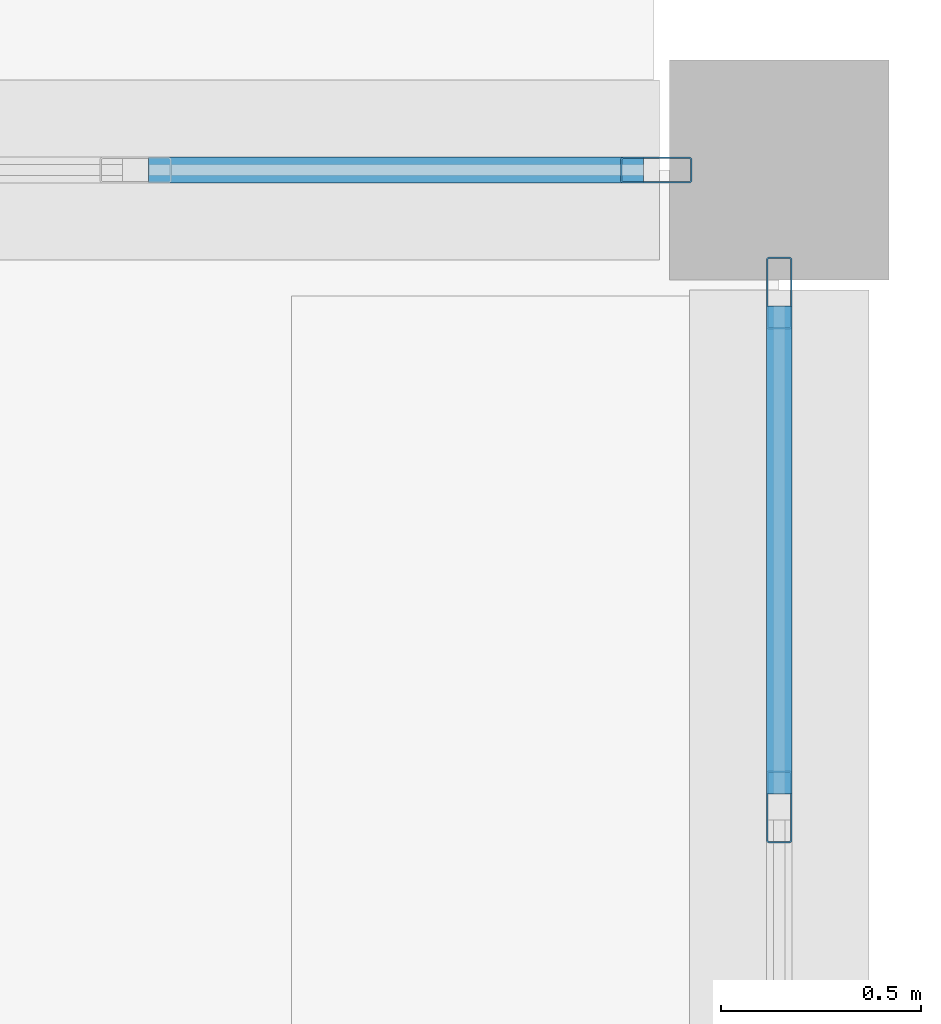
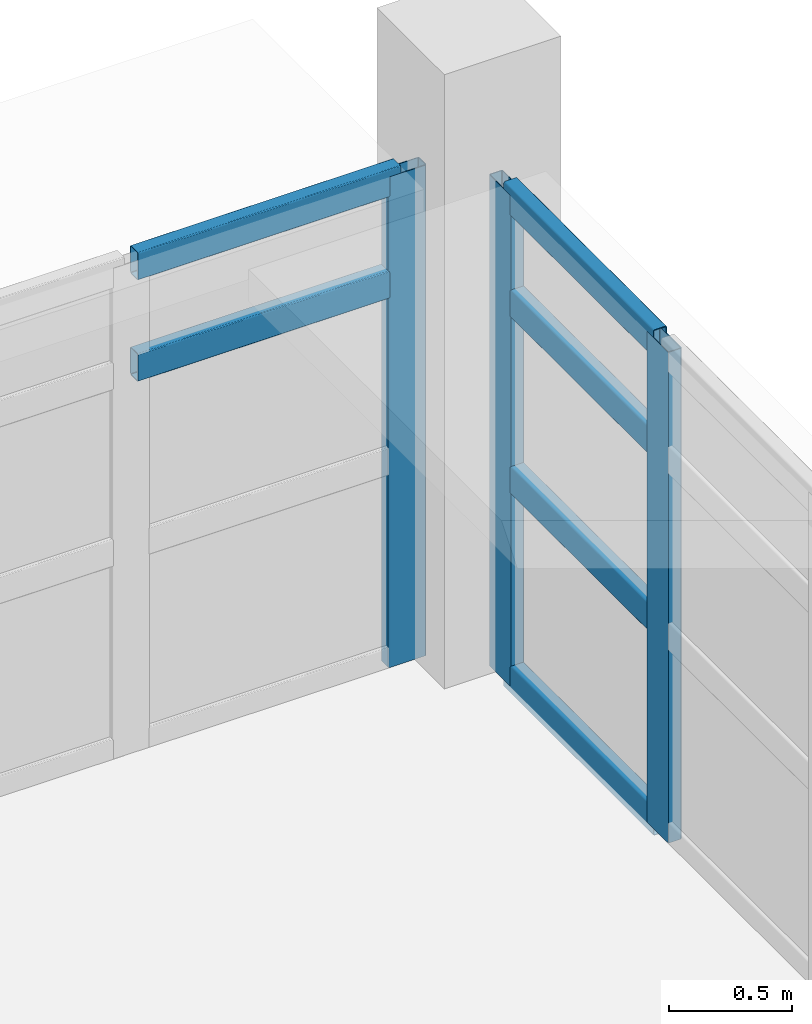
# One storey, part 17 of 34: 9 members, 2 elements without a shape of their own.
"""IFC4 building model written with IfcOpenShell, lengths in metres."""

from ifc_helpers import new_model, si_unit, direction, frame, origin, origin_2d, place, context, subcontext, project, spatial, hollow_rectangle, extrude, material, material_profile, profile_set, type_object, element, aggregate, save


model = new_model("IFC4")

# Units and contexts
model_context = context("Model", 3, precision=1e-05, world=origin(), true_north=direction((0.0, 1.0)))
body_context = subcontext(model_context, "Body", "Model", "MODEL_VIEW")
ifc_project = project(units=[si_unit("LENGTHUNIT", "METRE"), si_unit("AREAUNIT", "SQUARE_METRE"), si_unit("VOLUMEUNIT", "CUBIC_METRE"), si_unit("PLANEANGLEUNIT", "RADIAN"), si_unit("MASSUNIT", "GRAM", prefix="KILO")], contexts=[model_context])

# Site, building, storey
site_placement = place(None, origin())
site = spatial("IfcSite", under=ifc_project, at=site_placement, CompositionType="ELEMENT")
building_placement = place(site_placement, origin())
building = spatial("IfcBuilding", under=site, at=building_placement, Name="Varnakota Cinema and Media Centre", CompositionType="ELEMENT")
storey_placement = place(building_placement, frame((0.0, 0.0, 19.050048828125)))
storey = spatial("IfcBuildingStorey", under=building, at=storey_placement, Name="L05", CompositionType="ELEMENT", Elevation=19.050048828125)

# Curtain wall, members
ifc_material_1 = material(Name="Thermally broken anodised aluminium AW-6063", Category="aluminium")
curtain_wall_type_1 = type_object("IfcCurtainWallType", Name="CW-STD-396x244", PredefinedType="USERDEFINED", material=ifc_material_1)
curtain_wall_1_placement = place(storey_placement, origin())
curtain_wall_1 = element("IfcCurtainWall", 1, at=curtain_wall_1_placement, inside=storey, type_object=curtain_wall_type_1, Name="L05 curtain wall CW-L05-V5-E-03-2", ObjectType="UNITISED CURTAIN WALL", PredefinedType="USERDEFINED")
ifc_material_2 = material(Name="Thermally broken anodised aluminium AW-6063", Category="aluminium")
ifc_material_profile_1 = material_profile(ifc_material_2, hollow_rectangle(XDim=0.06494140625, YDim=0.179931640625, WallThickness=0.00390625, InnerFilletRadius=0.00390625, OuterFilletRadius=0.008056640625, at=origin_2d()), Name="AL-MULLION 180x65x4")
ifc_profile_set_1 = profile_set([ifc_material_profile_1], Name="Thermally broken anodised aluminium AW-6063")
member_type_1 = type_object("IfcMemberType", Name="CWM-AL-180", PredefinedType="MULLION", material=ifc_profile_set_1)
member_1_placement = place(storey_placement, frame((25.800048828125, 59.40673828125, 0.0), z_axis=(0.0, 0.0, 1.0), x_axis=(-1.0, 0.0, 0.0)))
member_1 = element("IfcMember", 2, at=member_1_placement, type_object=member_type_1, Name="CW53 mullion 3", PredefinedType="MULLION", context=body_context, shape_type="SweptSolid", body=[
    extrude(hollow_rectangle(XDim=0.06494140625, YDim=0.179931640625, WallThickness=0.00390625, InnerFilletRadius=0.00390625, OuterFilletRadius=0.008056640625, at=origin_2d()), origin(), (0.0, 0.0, 1.0), 2.445068359375),
])
member_2_placement = place(storey_placement, frame((25.800048828125, 60.6923828125, 0.0), z_axis=(0.0, 0.0, 1.0), x_axis=(-1.0, 0.0, 0.0)))
member_2 = element("IfcMember", 3, at=member_2_placement, type_object=member_type_1, Name="CW53 mullion 4", PredefinedType="MULLION", context=body_context, shape_type="SweptSolid", body=[
    extrude(hollow_rectangle(XDim=0.06494140625, YDim=0.179931640625, WallThickness=0.00390625, InnerFilletRadius=0.00390625, OuterFilletRadius=0.008056640625, at=origin_2d()), origin(), (0.0, 0.0, 1.0), 2.445068359375),
])

# Curtain wall, member
ifc_material_3 = material(Name="Thermally broken anodised aluminium AW-6063", Category="aluminium")
curtain_wall_type_2 = type_object("IfcCurtainWallType", Name="CW-STD-400x244", PredefinedType="USERDEFINED", material=ifc_material_3)
curtain_wall_2_placement = place(storey_placement, origin())
curtain_wall_2 = element("IfcCurtainWall", 4, at=curtain_wall_2_placement, inside=storey, type_object=curtain_wall_type_2, Name="L05 curtain wall CW-L05-V5-N-03-2", ObjectType="UNITISED CURTAIN WALL", PredefinedType="USERDEFINED")
member_3_placement = place(storey_placement, frame((25.492431640625, 61.0, 0.0), z_axis=(0.0, 0.0, 1.0), x_axis=(0.0, 1.0, 0.0)))
member_3 = element("IfcMember", 5, at=member_3_placement, type_object=member_type_1, Name="CW55 mullion 4", PredefinedType="MULLION", context=body_context, shape_type="SweptSolid", body=[
    extrude(hollow_rectangle(XDim=0.06494140625, YDim=0.179931640625, WallThickness=0.00390625, InnerFilletRadius=0.00390625, OuterFilletRadius=0.008056640625, at=origin_2d()), origin(), (0.0, 0.0, 1.0), 2.445068359375),
])

# Member
ifc_material_4 = material(Name="Thermally broken anodised aluminium AW-6063", Category="aluminium")
ifc_material_profile_2 = material_profile(ifc_material_4, hollow_rectangle(XDim=0.06494140625, YDim=0.139892578125, WallThickness=0.00390625, InnerFilletRadius=0.00390625, OuterFilletRadius=0.008056640625, at=origin_2d()), Name="AL-TRANSOM 140x65x4")
ifc_profile_set_2 = profile_set([ifc_material_profile_2], Name="Thermally broken anodised aluminium AW-6063")
member_type_2 = type_object("IfcMemberType", Name="CWT-AL-140", PredefinedType="USERDEFINED", material=ifc_profile_set_2)
member_4_placement = place(storey_placement, frame((25.800048828125, 59.439208984375, 0.032470703125), z_axis=(0.0, 1.0, 0.0), x_axis=(-1.0, 0.0, 0.0)))
member_4 = element("IfcMember", 6, at=member_4_placement, type_object=member_type_2, Name="CW53 transom 3.1", ObjectType="TRANSOM", PredefinedType="USERDEFINED", context=body_context, shape_type="SweptSolid", body=[
    extrude(hollow_rectangle(XDim=0.06494140625, YDim=0.139892578125, WallThickness=0.00390625, InnerFilletRadius=0.00390625, OuterFilletRadius=0.008056640625, at=origin_2d()), origin(), (0.0, 0.0, 1.0), 1.220703125),
])

member_5_placement = place(storey_placement, frame((25.800048828125, 59.439208984375, 1.02685546875), z_axis=(0.0, 1.0, 0.0), x_axis=(-1.0, 0.0, 0.0)))
member_5 = element("IfcMember", 7, at=member_5_placement, type_object=member_type_2, Name="CW53 transom 3.2", ObjectType="TRANSOM", PredefinedType="USERDEFINED", context=body_context, shape_type="SweptSolid", body=[
    extrude(hollow_rectangle(XDim=0.06494140625, YDim=0.139892578125, WallThickness=0.00390625, InnerFilletRadius=0.00390625, OuterFilletRadius=0.008056640625, at=origin_2d()), origin(), (0.0, 0.0, 1.0), 1.220703125),
])

member_6_placement = place(storey_placement, frame((25.800048828125, 59.439208984375, 1.906982421875), z_axis=(0.0, 1.0, 0.0), x_axis=(-1.0, 0.0, 0.0)))
member_6 = element("IfcMember", 8, at=member_6_placement, type_object=member_type_2, Name="CW53 transom 3.3", ObjectType="TRANSOM", PredefinedType="USERDEFINED", context=body_context, shape_type="SweptSolid", body=[
    extrude(hollow_rectangle(XDim=0.06494140625, YDim=0.139892578125, WallThickness=0.00390625, InnerFilletRadius=0.00390625, OuterFilletRadius=0.008056640625, at=origin_2d()), origin(), (0.0, 0.0, 1.0), 1.220703125),
])

member_7_placement = place(storey_placement, frame((25.800048828125, 59.439208984375, 2.412353515625), z_axis=(0.0, 1.0, 0.0), x_axis=(-1.0, 0.0, 0.0)))
member_7 = element("IfcMember", 9, at=member_7_placement, type_object=member_type_2, Name="CW53 transom 3.4", ObjectType="TRANSOM", PredefinedType="USERDEFINED", context=body_context, shape_type="SweptSolid", body=[
    extrude(hollow_rectangle(XDim=0.06494140625, YDim=0.139892578125, WallThickness=0.00390625, InnerFilletRadius=0.00390625, OuterFilletRadius=0.008056640625, at=origin_2d()), origin(), (0.0, 0.0, 1.0), 1.220703125),
])

aggregate(curtain_wall_1, [member_1, member_2, member_4, member_5, member_6, member_7])

member_8_placement = place(storey_placement, frame((24.222412109375, 61.0, 1.906982421875), z_axis=(1.0, 0.0, 0.0), x_axis=(0.0, 1.0, 0.0)))
member_8 = element("IfcMember", 10, at=member_8_placement, type_object=member_type_2, Name="CW55 transom 3.3", ObjectType="TRANSOM", PredefinedType="USERDEFINED", context=body_context, shape_type="SweptSolid", body=[
    extrude(hollow_rectangle(XDim=0.06494140625, YDim=0.139892578125, WallThickness=0.00390625, InnerFilletRadius=0.00390625, OuterFilletRadius=0.008056640625, at=origin_2d()), origin(), (0.0, 0.0, 1.0), 1.237548828125),
])

member_9_placement = place(storey_placement, frame((24.222412109375, 61.0, 2.412353515625), z_axis=(1.0, 0.0, 0.0), x_axis=(0.0, 1.0, 0.0)))
member_9 = element("IfcMember", 11, at=member_9_placement, type_object=member_type_2, Name="CW55 transom 3.4", ObjectType="TRANSOM", PredefinedType="USERDEFINED", context=body_context, shape_type="SweptSolid", body=[
    extrude(hollow_rectangle(XDim=0.06494140625, YDim=0.139892578125, WallThickness=0.00390625, InnerFilletRadius=0.00390625, OuterFilletRadius=0.008056640625, at=origin_2d()), origin(), (0.0, 0.0, 1.0), 1.237548828125),
])

aggregate(curtain_wall_2, [member_3, member_8, member_9])

save(model, "model.ifc")
